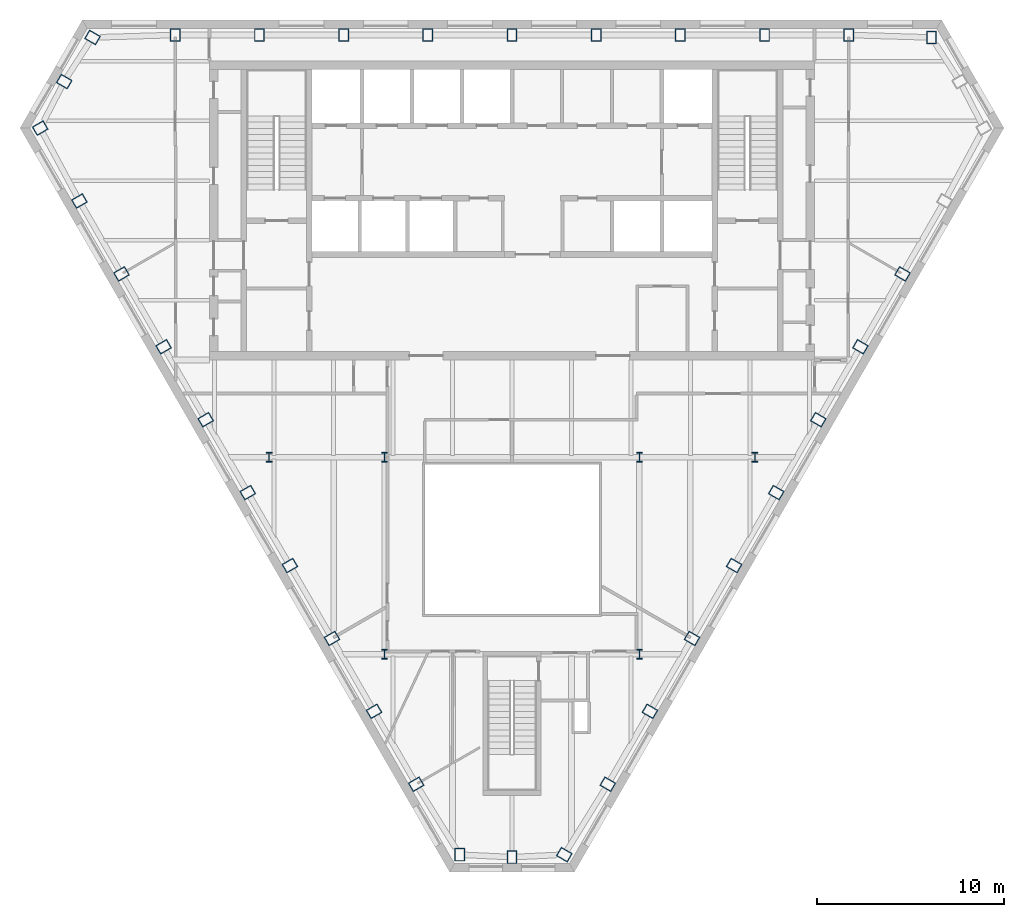
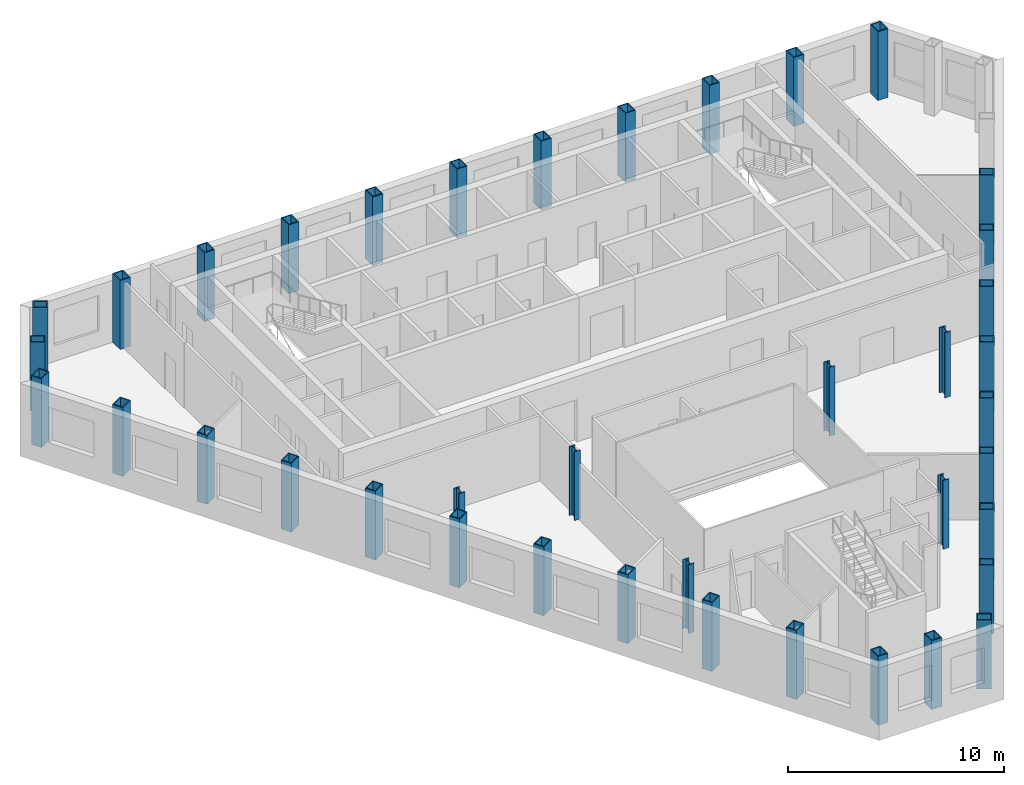
# One storey, part 1 of 10: 39 columns.
"""IFC4 building model written with IfcOpenShell, lengths in metres."""

from ifc_helpers import new_model, si_unit, direction, frame, origin, origin_2d, place, context, subcontext, project, spatial, hollow_rectangle, i_section, extrude, material, material_profile, profile_set, type_object, element, save


model = new_model("IFC4")

# Units and contexts
model_context = context("Model", 3, precision=1e-05, world=origin(), true_north=direction((0.0, 1.0)))
body_context = subcontext(model_context, "Body", "Model", "MODEL_VIEW")
ifc_project = project(units=[si_unit("LENGTHUNIT", "METRE"), si_unit("AREAUNIT", "SQUARE_METRE"), si_unit("VOLUMEUNIT", "CUBIC_METRE"), si_unit("PLANEANGLEUNIT", "RADIAN"), si_unit("MASSUNIT", "GRAM", prefix="KILO")], contexts=[model_context])

# Site, building, storey
site_placement = place(None, origin())
site = spatial("IfcSite", under=ifc_project, at=site_placement, CompositionType="ELEMENT")
building_placement = place(site_placement, origin())
building = spatial("IfcBuilding", under=site, at=building_placement, Name="Njiva Tower", CompositionType="ELEMENT")
storey_placement = place(building_placement, frame((0.0, 0.0, 235.5)))
storey = spatial("IfcBuildingStorey", under=building, at=storey_placement, Name="L53", CompositionType="ELEMENT", Elevation=235.5)

# Columns
ifc_material = material(Name="Steel S355 J2", Category="steel")
ifc_material_profile_1 = material_profile(ifc_material, hollow_rectangle(XDim=0.55, YDim=0.7, WallThickness=0.05, at=origin_2d()), Name="BOX 700x550x50")
ifc_profile_set_1 = profile_set([ifc_material_profile_1], Name="Steel S355 J2")
column_type_1 = type_object("IfcColumnType", Name="C11 Perimeter tube column BOX 700x550x50", PredefinedType="COLUMN", material=ifc_profile_set_1)
for number, where, z_axis, x_axis, name in (
    (1, (22.456, 19.267, 0.0), (0.0, 0.0, 1.0), (-1.0, 0.0, 0.0), "Perimeter tube column S17-C01"),
    (2, (18.026, 19.4, 0.0), (0.0, 0.0, 1.0), (-1.0, 0.0, 0.0), "Perimeter tube column S17-C02"),
    (3, (13.52, 19.4, 0.0), (0.0, 0.0, 1.0), (-1.0, 0.0, 0.0), "Perimeter tube column S17-C03"),
    (4, (9.013, 19.4, 0.0), (0.0, 0.0, 1.0), (-1.0, 0.0, 0.0), "Perimeter tube column S17-C04"),
    (5, (4.507, 19.4, 0.0), (0.0, 0.0, 1.0), (-1.0, 0.0, 0.0), "Perimeter tube column S17-C05"),
    (6, (0.0, 19.4, 0.0), (0.0, 0.0, 1.0), (-1.0, 0.0, 0.0), "Perimeter tube column S17-C06"),
    (7, (-4.507, 19.4, 0.0), (0.0, 0.0, 1.0), (-1.0, 0.0, 0.0), "Perimeter tube column S17-C07"),
    (8, (-9.013, 19.4, 0.0), (0.0, 0.0, 1.0), (-1.0, 0.0, 0.0), "Perimeter tube column S17-C08"),
    (9, (-13.52, 19.4, 0.0), (0.0, 0.0, 1.0), (-1.0, 0.0, 0.0), "Perimeter tube column S17-C09"),
    (10, (-18.026, 19.4, 0.0), (0.0, 0.0, 1.0), (-1.0, 0.0, 0.0), "Perimeter tube column S17-C10"),
    (11, (-22.456, 19.267, 0.0), (0.0, 0.0, 1.0), (-0.5, -0.866025403784, 0.0), "Perimeter tube column S17-C11"),
    (12, (-23.972, 16.907, 0.0), (0.0, 0.0, 1.0), (-0.5, -0.866025403784, 0.0), "Perimeter tube column S17-C12"),
    (13, (-25.258, 14.415, 0.0), (0.0, 0.0, 1.0), (0.5, -0.866025403784, 0.0), "Perimeter tube column S17-C13"),
    (14, (-23.158, 10.512, 0.0), (0.0, 0.0, 1.0), (0.5, -0.866025403784, 0.0), "Perimeter tube column S17-C14"),
    (15, (-20.905, 6.609, 0.0), (0.0, 0.0, 1.0), (0.5, -0.866025403784, 0.0), "Perimeter tube column S17-C15"),
    (16, (-18.651, 2.706, 0.0), (0.0, 0.0, 1.0), (0.5, -0.866025403784, 0.0), "Perimeter tube column S17-C16"),
    (17, (-16.398, -1.196, 0.0), (0.0, 0.0, 1.0), (0.5, -0.866025403784, 0.0), "Perimeter tube column S17-C17"),
    (18, (-14.145, -5.099, 0.0), (0.0, 0.0, 1.0), (0.5, -0.866025403784, 0.0), "Perimeter tube column S17-C18"),
    (19, (-11.891, -9.002, 0.0), (0.0, 0.0, 1.0), (0.5, -0.866025403784, 0.0), "Perimeter tube column S17-C19"),
    (20, (-9.638, -12.905, 0.0), (0.0, 0.0, 1.0), (0.5, -0.866025403784, 0.0), "Perimeter tube column S17-C20"),
    (21, (-7.385, -16.808, 0.0), (0.0, 0.0, 1.0), (0.5, -0.866025403784, 0.0), "Perimeter tube column S17-C21"),
    (22, (-5.131, -20.711, 0.0), (0.0, 0.0, 1.0), (0.5, -0.866025403784, 0.0), "Perimeter tube column S17-C22"),
    (23, (-2.801, -24.48, 0.0), (0.0, 0.0, 1.0), (1.0, 0.0, 0.0), "Perimeter tube column S17-C23"),
    (24, (0.0, -24.614, 0.0), (0.0, 0.0, 1.0), (1.0, 0.0, 0.0), "Perimeter tube column S17-C24"),
    (25, (2.801, -24.48, 0.0), (0.0, 0.0, 1.0), (0.5, 0.866025403784, 0.0), "Perimeter tube column S17-C25"),
    (26, (5.131, -20.711, 0.0), (0.0, 0.0, 1.0), (0.5, 0.866025403784, 0.0), "Perimeter tube column S17-C26"),
    (27, (7.385, -16.808, 0.0), (0.0, 0.0, 1.0), (0.5, 0.866025403784, 0.0), "Perimeter tube column S17-C27"),
    (28, (9.638, -12.905, 0.0), (0.0, 0.0, 1.0), (0.5, 0.866025403784, 0.0), "Perimeter tube column S17-C28"),
    (29, (11.891, -9.002, 0.0), (0.0, 0.0, 1.0), (0.5, 0.866025403784, 0.0), "Perimeter tube column S17-C29"),
    (30, (14.145, -5.099, 0.0), (0.0, 0.0, 1.0), (0.5, 0.866025403784, 0.0), "Perimeter tube column S17-C30"),
    (31, (16.398, -1.196, 0.0), (0.0, 0.0, 1.0), (0.5, 0.866025403784, 0.0), "Perimeter tube column S17-C31"),
    (32, (18.651, 2.706, 0.0), (0.0, 0.0, 1.0), (0.5, 0.866025403784, 0.0), "Perimeter tube column S17-C32"),
    (33, (20.905, 6.609, 0.0), (0.0, 0.0, 1.0), (0.5, 0.866025403784, 0.0), "Perimeter tube column S17-C33"),
):
    element("IfcColumn", number, at=place(storey_placement, frame(where, z_axis=z_axis, x_axis=x_axis)), inside=storey, type_object=column_type_1, Name=name, PredefinedType="COLUMN", context=body_context, shape_type="SweptSolid", body=[
        extrude(hollow_rectangle(XDim=0.55, YDim=0.7, WallThickness=0.05, at=origin_2d()), origin(), (0.0, 0.0, 1.0), 3.9),
    ])
ifc_material_profile_2 = material_profile(ifc_material, i_section(OverallWidth=0.306, OverallDepth=0.524, WebThickness=0.021, FlangeThickness=0.04, at=origin_2d()), Name="HEM 500")
ifc_profile_set_2 = profile_set([ifc_material_profile_2], Name="Steel S355 J2")
column_type_2 = type_object("IfcColumnType", Name="C12 Interior column HEM 500", PredefinedType="COLUMN", material=ifc_profile_set_2)
for number, where, z_axis, x_axis, name in (
    (34, (6.82, -3.2, 0.0), (0.0, 0.0, 1.0), (1.0, 0.0, 0.0), "Interior column S17-C37"),
    (35, (-6.82, -3.2, 0.0), (0.0, 0.0, 1.0), (1.0, 0.0, 0.0), "Interior column S17-C38"),
    (36, (6.82, -13.75, 0.0), (0.0, 0.0, 1.0), (1.0, 0.0, 0.0), "Interior column S17-C39"),
    (37, (-6.82, -13.75, 0.0), (0.0, 0.0, 1.0), (1.0, 0.0, 0.0), "Interior column S17-C40"),
):
    element("IfcColumn", number, at=place(storey_placement, frame(where, z_axis=z_axis, x_axis=x_axis)), inside=storey, type_object=column_type_2, Name=name, PredefinedType="COLUMN", context=body_context, shape_type="SweptSolid", body=[
        extrude(i_section(OverallWidth=0.306, OverallDepth=0.524, WebThickness=0.021, FlangeThickness=0.04, at=origin_2d()), origin(), (0.0, 0.0, 1.0), 3.9),
    ])
for number, where, z_axis, x_axis, name in (
    (38, (13.0, -3.2, 0.0), (0.0, 0.0, 1.0), (1.0, 0.0, 0.0), "Interior column S17-C41"),
    (39, (-13.0, -3.2, 0.0), (0.0, 0.0, 1.0), (1.0, 0.0, 0.0), "Interior column S17-C42"),
):
    element("IfcColumn", number, at=place(storey_placement, frame(where, z_axis=z_axis, x_axis=x_axis)), inside=storey, type_object=column_type_2, Name=name, PredefinedType="COLUMN", context=body_context, shape_type="SweptSolid", body=[
        extrude(i_section(OverallWidth=0.306, OverallDepth=0.524, WebThickness=0.021, FlangeThickness=0.04, at=origin_2d()), origin(), (0.0, 0.0, 1.0), 3.7),
    ])

save(model, "model.ifc")
